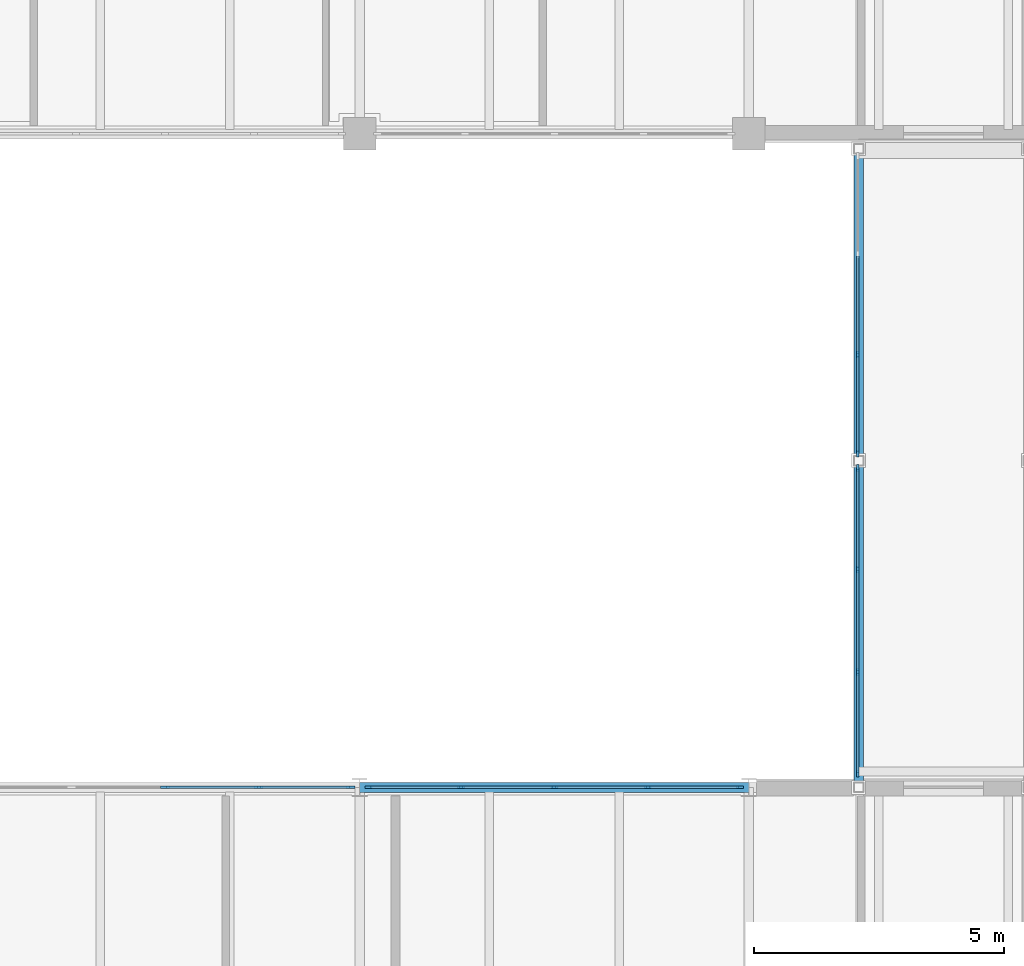
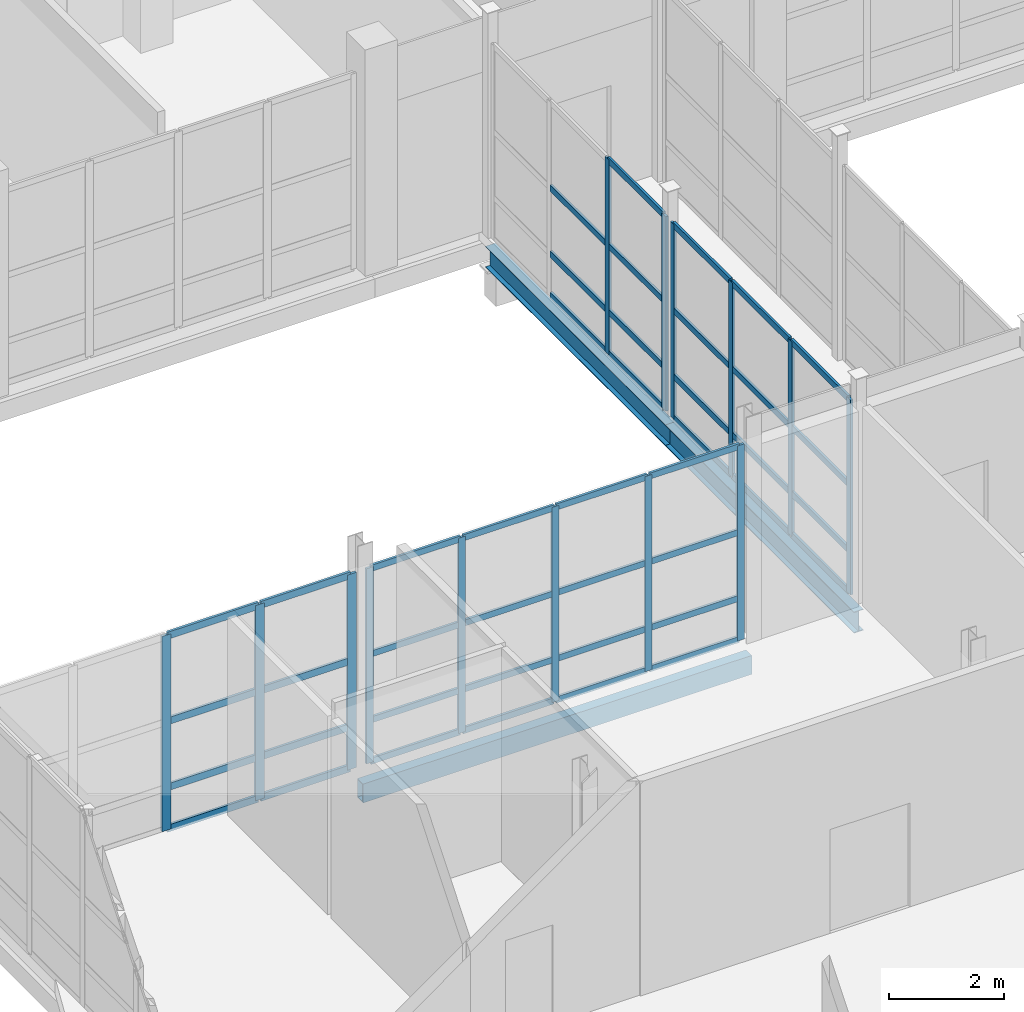
# One storey, part 63 of 131: 57 members, 3 beams, 4 elements without a shape of their own.
"""IFC4 building model written with IfcOpenShell, lengths in metres."""

from ifc_helpers import new_model, si_unit, direction, frame, origin, origin_2d, place, context, subcontext, project, spatial, rectangle, hollow_rectangle, i_section, extrude, material, layer, layer_set, material_profile, profile_set, type_object, element, aggregate, save


model = new_model("IFC4")

# Units and contexts
model_context = context("Model", 3, precision=1e-05, world=origin(), true_north=direction((0.0, 1.0)))
body_context = subcontext(model_context, "Body", "Model", "MODEL_VIEW")
ifc_project = project(units=[si_unit("LENGTHUNIT", "METRE"), si_unit("AREAUNIT", "SQUARE_METRE"), si_unit("VOLUMEUNIT", "CUBIC_METRE"), si_unit("PLANEANGLEUNIT", "RADIAN"), si_unit("MASSUNIT", "GRAM", prefix="KILO")], contexts=[model_context])

# Site, building, storey
site_placement = place(None, origin())
site = spatial("IfcSite", under=ifc_project, at=site_placement, CompositionType="ELEMENT")
building_placement = place(site_placement, origin())
building = spatial("IfcBuilding", under=site, at=building_placement, Name="Celorna Specialist Clinic", CompositionType="ELEMENT")
storey_placement = place(building_placement, origin())
storey = spatial("IfcBuildingStorey", under=building, at=storey_placement, Name="L00", CompositionType="ELEMENT", Elevation=0.0)

# Beams
ifc_material_1 = material(Name="Steel S355", Category="steel")
ifc_material_profile_1 = material_profile(ifc_material_1, i_section(OverallWidth=0.18994140625, OverallDepth=0.449951171875, WebThickness=0.009521484375, FlangeThickness=0.0146484375, at=origin_2d()), Name="IPE 450")
ifc_profile_set_1 = profile_set([ifc_material_profile_1], Name="Steel S355")
beam_type_1 = type_object("IfcBeamType", Name="BM-09", PredefinedType="BEAM", material=ifc_profile_set_1)
beam_1_placement = place(storey_placement, frame((142.60009765625, 83.39990234375, -0.445068359375), z_axis=(0.0, 1.0, 0.0), x_axis=(-1.0, 0.0, 0.0)))
element("IfcBeam", 1, at=beam_1_placement, inside=storey, type_object=beam_type_1, Name="Bridge BR-05 edge girder BM-09 #110", PredefinedType="BEAM", context=body_context, shape_type="SweptSolid", body=[
    extrude(i_section(OverallWidth=0.18994140625, OverallDepth=0.449951171875, WebThickness=0.009521484375, FlangeThickness=0.0146484375, at=origin_2d()), origin(), (0.0, 0.0, 1.0), 6.550048828125),
])
beam_2_placement = place(storey_placement, frame((142.60009765625, 89.949951171875, -0.445068359375), z_axis=(0.0, 1.0, 0.0), x_axis=(-1.0, 0.0, 0.0)))
element("IfcBeam", 2, at=beam_2_placement, inside=storey, type_object=beam_type_1, Name="Bridge BR-05 edge girder BM-09 #111", PredefinedType="BEAM", context=body_context, shape_type="SweptSolid", body=[
    extrude(i_section(OverallWidth=0.18994140625, OverallDepth=0.449951171875, WebThickness=0.009521484375, FlangeThickness=0.0146484375, at=origin_2d()), origin(), (0.0, 0.0, 1.0), 6.25),
])
ifc_material_profile_2 = material_profile(ifc_material_1, hollow_rectangle(XDim=0.199951171875, YDim=0.39990234375, WallThickness=0.011962890625, at=origin_2d()), Name="RHS 200x400x12")
ifc_profile_set_2 = profile_set([ifc_material_profile_2], Name="Steel S355")
beam_type_2 = type_object("IfcBeamType", Name="BM-15", PredefinedType="SPANDREL", material=ifc_profile_set_2)
beam_3_placement = place(storey_placement, frame((132.60009765625, 83.39990234375, -0.5400390625), z_axis=(1.0, 0.0, 0.0), x_axis=(0.0, 1.0, 0.0)))
element("IfcBeam", 3, at=beam_3_placement, inside=storey, type_object=beam_type_2, Name="Spandrel beam BM-15 #553", PredefinedType="SPANDREL", context=body_context, shape_type="SweptSolid", body=[
    extrude(hollow_rectangle(XDim=0.199951171875, YDim=0.39990234375, WallThickness=0.011962890625, at=origin_2d()), origin(), (0.0, 0.0, 1.0), 7.7998046875),
])

# Curtain wall, members
ifc_material_2 = material(Name="Thermally broken aluminium and solar-control glass curtain wall", Category="aluminium")
ifc_layer_1 = layer(ifc_material_2, 0.159912109375, Name="Thermally broken aluminium and solar-control glass curtain wall")
ifc_layer_set_1 = layer_set([ifc_layer_1], Name="Thermally broken aluminium and solar-control glass curtain wall")
curtain_wall_type_1 = type_object("IfcCurtainWallType", Name="CW-34", PredefinedType="NOTDEFINED", material=ifc_layer_set_1)
curtain_wall_1_placement = place(storey_placement, origin())
curtain_wall_1 = element("IfcCurtainWall", 4, at=curtain_wall_1_placement, inside=storey, type_object=curtain_wall_type_1, Name="Curtain wall CW-34 #69", PredefinedType="NOTDEFINED")
ifc_material_3 = material(Name="Anodized aluminium mullion", Category="aluminium")
ifc_material_profile_3 = material_profile(ifc_material_3, rectangle(XDim=0.050048828125, YDim=0.179931640625, at=origin_2d()), Name="ALU MULLION 50x180")
ifc_profile_set_3 = profile_set([ifc_material_profile_3], Name="Anodized aluminium mullion")
member_type_1 = type_object("IfcMemberType", Name="ML-02", PredefinedType="MULLION", material=ifc_profile_set_3)
member_1_placement = place(storey_placement, frame((128.699951171875, 83.39990234375, 0.0), z_axis=(0.0, 0.0, 1.0), x_axis=(0.0, 1.0, 0.0)))
member_1 = element("IfcMember", 5, at=member_1_placement, type_object=member_type_1, Name="CW-34 mullion 3", PredefinedType="MULLION", context=body_context, shape_type="SweptSolid", body=[
    extrude(rectangle(XDim=0.050048828125, YDim=0.179931640625, at=origin_2d()), origin(), (0.0, 0.0, 1.0), 4.139892578125),
])
member_2_placement = place(storey_placement, frame((130.572998046875, 83.39990234375, 0.0), z_axis=(0.0, 0.0, 1.0), x_axis=(0.0, 1.0, 0.0)))
member_2 = element("IfcMember", 6, at=member_2_placement, type_object=member_type_1, Name="CW-34 mullion 4", PredefinedType="MULLION", context=body_context, shape_type="SweptSolid", body=[
    extrude(rectangle(XDim=0.050048828125, YDim=0.179931640625, at=origin_2d()), origin(), (0.0, 0.0, 1.0), 4.139892578125),
])
member_3_placement = place(storey_placement, frame((132.4208984375, 83.39990234375, 0.0), z_axis=(0.0, 0.0, 1.0), x_axis=(0.0, 1.0, 0.0)))
member_3 = element("IfcMember", 7, at=member_3_placement, type_object=member_type_1, Name="CW-34 mullion 5", PredefinedType="MULLION", context=body_context, shape_type="SweptSolid", body=[
    extrude(rectangle(XDim=0.050048828125, YDim=0.179931640625, at=origin_2d()), origin(), (0.0, 0.0, 1.0), 4.139892578125),
])

ifc_layer_2 = layer(ifc_material_2, 0.159912109375, Name="Thermally broken aluminium and solar-control glass curtain wall")
ifc_layer_set_2 = layer_set([ifc_layer_2], Name="Thermally broken aluminium and solar-control glass curtain wall")
curtain_wall_type_2 = type_object("IfcCurtainWallType", Name="CW-36", PredefinedType="NOTDEFINED", material=ifc_layer_set_2)
curtain_wall_2_placement = place(storey_placement, origin())
curtain_wall_2 = element("IfcCurtainWall", 8, at=curtain_wall_2_placement, inside=storey, type_object=curtain_wall_type_2, Name="Curtain wall CW-36 #70", PredefinedType="NOTDEFINED")
ifc_material_profile_4 = material_profile(ifc_material_3, rectangle(XDim=0.050048828125, YDim=0.139892578125, at=origin_2d()), Name="ALU MULLION 50x140")
ifc_profile_set_4 = profile_set([ifc_material_profile_4], Name="Anodized aluminium mullion")
member_type_2 = type_object("IfcMemberType", Name="ML-03", PredefinedType="MULLION", material=ifc_profile_set_4)
member_4_placement = place(storey_placement, frame((132.779052734375, 83.39990234375, 0.0), z_axis=(0.0, 0.0, 1.0), x_axis=(0.0, 1.0, 0.0)))
member_4 = element("IfcMember", 9, at=member_4_placement, type_object=member_type_2, Name="CW-36 mullion 1", PredefinedType="MULLION", context=body_context, shape_type="SweptSolid", body=[
    extrude(rectangle(XDim=0.050048828125, YDim=0.139892578125, at=origin_2d()), origin(), (0.0, 0.0, 1.0), 4.139892578125),
])
member_5_placement = place(storey_placement, frame((134.626953125, 83.39990234375, 0.0), z_axis=(0.0, 0.0, 1.0), x_axis=(0.0, 1.0, 0.0)))
member_5 = element("IfcMember", 10, at=member_5_placement, type_object=member_type_2, Name="CW-36 mullion 2", PredefinedType="MULLION", context=body_context, shape_type="SweptSolid", body=[
    extrude(rectangle(XDim=0.050048828125, YDim=0.139892578125, at=origin_2d()), origin(), (0.0, 0.0, 1.0), 4.139892578125),
])
member_6_placement = place(storey_placement, frame((136.5, 83.39990234375, 0.0), z_axis=(0.0, 0.0, 1.0), x_axis=(0.0, 1.0, 0.0)))
member_6 = element("IfcMember", 11, at=member_6_placement, type_object=member_type_2, Name="CW-36 mullion 3", PredefinedType="MULLION", context=body_context, shape_type="SweptSolid", body=[
    extrude(rectangle(XDim=0.050048828125, YDim=0.139892578125, at=origin_2d()), origin(), (0.0, 0.0, 1.0), 4.139892578125),
])
member_7_placement = place(storey_placement, frame((138.373046875, 83.39990234375, 0.0), z_axis=(0.0, 0.0, 1.0), x_axis=(0.0, 1.0, 0.0)))
member_7 = element("IfcMember", 12, at=member_7_placement, type_object=member_type_2, Name="CW-36 mullion 4", PredefinedType="MULLION", context=body_context, shape_type="SweptSolid", body=[
    extrude(rectangle(XDim=0.050048828125, YDim=0.139892578125, at=origin_2d()), origin(), (0.0, 0.0, 1.0), 4.139892578125),
])
member_8_placement = place(storey_placement, frame((140.220947265625, 83.39990234375, 0.0), z_axis=(0.0, 0.0, 1.0), x_axis=(0.0, 1.0, 0.0)))
member_8 = element("IfcMember", 13, at=member_8_placement, type_object=member_type_2, Name="CW-36 mullion 5", PredefinedType="MULLION", context=body_context, shape_type="SweptSolid", body=[
    extrude(rectangle(XDim=0.050048828125, YDim=0.139892578125, at=origin_2d()), origin(), (0.0, 0.0, 1.0), 4.139892578125),
])

ifc_layer_3 = layer(ifc_material_2, 0.159912109375, Name="Thermally broken aluminium and solar-control glass curtain wall")
ifc_layer_set_3 = layer_set([ifc_layer_3], Name="Thermally broken aluminium and solar-control glass curtain wall")
curtain_wall_type_3 = type_object("IfcCurtainWallType", Name="CW-116", PredefinedType="NOTDEFINED", material=ifc_layer_set_3)
curtain_wall_3_placement = place(storey_placement, origin())
curtain_wall_3 = element("IfcCurtainWall", 14, at=curtain_wall_3_placement, inside=storey, type_object=curtain_wall_type_3, Name="Curtain wall CW-116 #216", PredefinedType="NOTDEFINED")
member_9_placement = place(storey_placement, frame((142.580078125, 83.675048828125, 0.0), z_axis=(0.0, 0.0, 1.0), x_axis=(-1.0, 0.0, 0.0)))
member_9 = element("IfcMember", 15, at=member_9_placement, type_object=member_type_2, Name="CW-116 mullion 1", PredefinedType="MULLION", context=body_context, shape_type="SweptSolid", body=[
    extrude(rectangle(XDim=0.050048828125, YDim=0.139892578125, at=origin_2d()), origin(), (0.0, 0.0, 1.0), 4.1298828125),
])
member_10_placement = place(storey_placement, frame((142.580078125, 85.7099609375, 0.0), z_axis=(0.0, 0.0, 1.0), x_axis=(-1.0, 0.0, 0.0)))
member_10 = element("IfcMember", 16, at=member_10_placement, type_object=member_type_2, Name="CW-116 mullion 2", PredefinedType="MULLION", context=body_context, shape_type="SweptSolid", body=[
    extrude(rectangle(XDim=0.050048828125, YDim=0.139892578125, at=origin_2d()), origin(), (0.0, 0.0, 1.0), 4.1298828125),
])
member_11_placement = place(storey_placement, frame((142.580078125, 87.77001953125, 0.0), z_axis=(0.0, 0.0, 1.0), x_axis=(-1.0, 0.0, 0.0)))
member_11 = element("IfcMember", 17, at=member_11_placement, type_object=member_type_2, Name="CW-116 mullion 3", PredefinedType="MULLION", context=body_context, shape_type="SweptSolid", body=[
    extrude(rectangle(XDim=0.050048828125, YDim=0.139892578125, at=origin_2d()), origin(), (0.0, 0.0, 1.0), 4.1298828125),
])
member_12_placement = place(storey_placement, frame((142.580078125, 89.804931640625, 0.0), z_axis=(0.0, 0.0, 1.0), x_axis=(-1.0, 0.0, 0.0)))
member_12 = element("IfcMember", 18, at=member_12_placement, type_object=member_type_2, Name="CW-116 mullion 4", PredefinedType="MULLION", context=body_context, shape_type="SweptSolid", body=[
    extrude(rectangle(XDim=0.050048828125, YDim=0.139892578125, at=origin_2d()), origin(), (0.0, 0.0, 1.0), 4.1298828125),
])

ifc_layer_4 = layer(ifc_material_2, 0.159912109375, Name="Thermally broken aluminium and solar-control glass curtain wall")
ifc_layer_set_4 = layer_set([ifc_layer_4], Name="Thermally broken aluminium and solar-control glass curtain wall")
curtain_wall_type_4 = type_object("IfcCurtainWallType", Name="CW-117", PredefinedType="NOTDEFINED", material=ifc_layer_set_4)
curtain_wall_4_placement = place(storey_placement, origin())
curtain_wall_4 = element("IfcCurtainWall", 19, at=curtain_wall_4_placement, inside=storey, type_object=curtain_wall_type_4, Name="Curtain wall CW-117 #217", PredefinedType="NOTDEFINED")
member_13_placement = place(storey_placement, frame((142.580078125, 90.094970703125, 0.0), z_axis=(0.0, 0.0, 1.0), x_axis=(-1.0, 0.0, 0.0)))
member_13 = element("IfcMember", 20, at=member_13_placement, type_object=member_type_2, Name="CW-117 mullion 1", PredefinedType="MULLION", context=body_context, shape_type="SweptSolid", body=[
    extrude(rectangle(XDim=0.050048828125, YDim=0.139892578125, at=origin_2d()), origin(), (0.0, 0.0, 1.0), 4.1298828125),
])
member_14_placement = place(storey_placement, frame((142.580078125, 92.0732421875, 0.0), z_axis=(0.0, 0.0, 1.0), x_axis=(-1.0, 0.0, 0.0)))
member_14 = element("IfcMember", 21, at=member_14_placement, type_object=member_type_2, Name="CW-117 mullion 2", PredefinedType="MULLION", context=body_context, shape_type="SweptSolid", body=[
    extrude(rectangle(XDim=0.050048828125, YDim=0.139892578125, at=origin_2d()), origin(), (0.0, 0.0, 1.0), 4.1298828125),
])

# Member
ifc_material_4 = material(Name="Anodized aluminium transom", Category="aluminium")
ifc_material_profile_5 = material_profile(ifc_material_4, rectangle(XDim=0.050048828125, YDim=0.1298828125, at=origin_2d()), Name="ALU TRANSOM 50x130")
ifc_profile_set_5 = profile_set([ifc_material_profile_5], Name="Anodized aluminium transom")
member_type_3 = type_object("IfcMemberType", Name="TR-01", PredefinedType="USERDEFINED", material=ifc_profile_set_5)
member_15_placement = place(storey_placement, frame((132.803955078125, 83.39990234375, 0.02490234375), z_axis=(1.0, 0.0, 0.0), x_axis=(0.0, 1.0, 0.0)))
member_15 = element("IfcMember", 22, at=member_15_placement, type_object=member_type_3, Name="CW-36 transom 1.1", ObjectType="TRANSOM", PredefinedType="USERDEFINED", context=body_context, shape_type="SweptSolid", body=[
    extrude(rectangle(XDim=0.050048828125, YDim=0.1298828125, at=origin_2d()), origin(), (0.0, 0.0, 1.0), 1.798095703125),
])

member_16_placement = place(storey_placement, frame((132.803955078125, 83.39990234375, 0.89990234375), z_axis=(1.0, 0.0, 0.0), x_axis=(0.0, 1.0, 0.0)))
member_16 = element("IfcMember", 23, at=member_16_placement, type_object=member_type_3, Name="CW-36 transom 1.2", ObjectType="TRANSOM", PredefinedType="USERDEFINED", context=body_context, shape_type="SweptSolid", body=[
    extrude(rectangle(XDim=0.050048828125, YDim=0.1298828125, at=origin_2d()), origin(), (0.0, 0.0, 1.0), 1.798095703125),
])

member_17_placement = place(storey_placement, frame((132.803955078125, 83.39990234375, 2.300048828125), z_axis=(1.0, 0.0, 0.0), x_axis=(0.0, 1.0, 0.0)))
member_17 = element("IfcMember", 24, at=member_17_placement, type_object=member_type_3, Name="CW-36 transom 1.3", ObjectType="TRANSOM", PredefinedType="USERDEFINED", context=body_context, shape_type="SweptSolid", body=[
    extrude(rectangle(XDim=0.050048828125, YDim=0.1298828125, at=origin_2d()), origin(), (0.0, 0.0, 1.0), 1.798095703125),
])

member_18_placement = place(storey_placement, frame((132.803955078125, 83.39990234375, 4.114990234375), z_axis=(1.0, 0.0, 0.0), x_axis=(0.0, 1.0, 0.0)))
member_18 = element("IfcMember", 25, at=member_18_placement, type_object=member_type_3, Name="CW-36 transom 1.4", ObjectType="TRANSOM", PredefinedType="USERDEFINED", context=body_context, shape_type="SweptSolid", body=[
    extrude(rectangle(XDim=0.050048828125, YDim=0.1298828125, at=origin_2d()), origin(), (0.0, 0.0, 1.0), 1.798095703125),
])

member_19_placement = place(storey_placement, frame((134.652099609375, 83.39990234375, 0.02490234375), z_axis=(1.0, 0.0, 0.0), x_axis=(0.0, 1.0, 0.0)))
member_19 = element("IfcMember", 26, at=member_19_placement, type_object=member_type_3, Name="CW-36 transom 2.1", ObjectType="TRANSOM", PredefinedType="USERDEFINED", context=body_context, shape_type="SweptSolid", body=[
    extrude(rectangle(XDim=0.050048828125, YDim=0.1298828125, at=origin_2d()), origin(), (0.0, 0.0, 1.0), 1.822998046875),
])

member_20_placement = place(storey_placement, frame((134.652099609375, 83.39990234375, 0.89990234375), z_axis=(1.0, 0.0, 0.0), x_axis=(0.0, 1.0, 0.0)))
member_20 = element("IfcMember", 27, at=member_20_placement, type_object=member_type_3, Name="CW-36 transom 2.2", ObjectType="TRANSOM", PredefinedType="USERDEFINED", context=body_context, shape_type="SweptSolid", body=[
    extrude(rectangle(XDim=0.050048828125, YDim=0.1298828125, at=origin_2d()), origin(), (0.0, 0.0, 1.0), 1.822998046875),
])

member_21_placement = place(storey_placement, frame((134.652099609375, 83.39990234375, 2.300048828125), z_axis=(1.0, 0.0, 0.0), x_axis=(0.0, 1.0, 0.0)))
member_21 = element("IfcMember", 28, at=member_21_placement, type_object=member_type_3, Name="CW-36 transom 2.3", ObjectType="TRANSOM", PredefinedType="USERDEFINED", context=body_context, shape_type="SweptSolid", body=[
    extrude(rectangle(XDim=0.050048828125, YDim=0.1298828125, at=origin_2d()), origin(), (0.0, 0.0, 1.0), 1.822998046875),
])

member_22_placement = place(storey_placement, frame((134.652099609375, 83.39990234375, 4.114990234375), z_axis=(1.0, 0.0, 0.0), x_axis=(0.0, 1.0, 0.0)))
member_22 = element("IfcMember", 29, at=member_22_placement, type_object=member_type_3, Name="CW-36 transom 2.4", ObjectType="TRANSOM", PredefinedType="USERDEFINED", context=body_context, shape_type="SweptSolid", body=[
    extrude(rectangle(XDim=0.050048828125, YDim=0.1298828125, at=origin_2d()), origin(), (0.0, 0.0, 1.0), 1.822998046875),
])

member_23_placement = place(storey_placement, frame((136.52490234375, 83.39990234375, 0.02490234375), z_axis=(1.0, 0.0, 0.0), x_axis=(0.0, 1.0, 0.0)))
member_23 = element("IfcMember", 30, at=member_23_placement, type_object=member_type_3, Name="CW-36 transom 3.1", ObjectType="TRANSOM", PredefinedType="USERDEFINED", context=body_context, shape_type="SweptSolid", body=[
    extrude(rectangle(XDim=0.050048828125, YDim=0.1298828125, at=origin_2d()), origin(), (0.0, 0.0, 1.0), 1.822998046875),
])

member_24_placement = place(storey_placement, frame((136.52490234375, 83.39990234375, 0.89990234375), z_axis=(1.0, 0.0, 0.0), x_axis=(0.0, 1.0, 0.0)))
member_24 = element("IfcMember", 31, at=member_24_placement, type_object=member_type_3, Name="CW-36 transom 3.2", ObjectType="TRANSOM", PredefinedType="USERDEFINED", context=body_context, shape_type="SweptSolid", body=[
    extrude(rectangle(XDim=0.050048828125, YDim=0.1298828125, at=origin_2d()), origin(), (0.0, 0.0, 1.0), 1.822998046875),
])

member_25_placement = place(storey_placement, frame((136.52490234375, 83.39990234375, 2.300048828125), z_axis=(1.0, 0.0, 0.0), x_axis=(0.0, 1.0, 0.0)))
member_25 = element("IfcMember", 32, at=member_25_placement, type_object=member_type_3, Name="CW-36 transom 3.3", ObjectType="TRANSOM", PredefinedType="USERDEFINED", context=body_context, shape_type="SweptSolid", body=[
    extrude(rectangle(XDim=0.050048828125, YDim=0.1298828125, at=origin_2d()), origin(), (0.0, 0.0, 1.0), 1.822998046875),
])

member_26_placement = place(storey_placement, frame((136.52490234375, 83.39990234375, 4.114990234375), z_axis=(1.0, 0.0, 0.0), x_axis=(0.0, 1.0, 0.0)))
member_26 = element("IfcMember", 33, at=member_26_placement, type_object=member_type_3, Name="CW-36 transom 3.4", ObjectType="TRANSOM", PredefinedType="USERDEFINED", context=body_context, shape_type="SweptSolid", body=[
    extrude(rectangle(XDim=0.050048828125, YDim=0.1298828125, at=origin_2d()), origin(), (0.0, 0.0, 1.0), 1.822998046875),
])

member_27_placement = place(storey_placement, frame((138.39794921875, 83.39990234375, 0.02490234375), z_axis=(1.0, 0.0, 0.0), x_axis=(0.0, 1.0, 0.0)))
member_27 = element("IfcMember", 34, at=member_27_placement, type_object=member_type_3, Name="CW-36 transom 4.1", ObjectType="TRANSOM", PredefinedType="USERDEFINED", context=body_context, shape_type="SweptSolid", body=[
    extrude(rectangle(XDim=0.050048828125, YDim=0.1298828125, at=origin_2d()), origin(), (0.0, 0.0, 1.0), 1.798095703125),
])

member_28_placement = place(storey_placement, frame((138.39794921875, 83.39990234375, 0.89990234375), z_axis=(1.0, 0.0, 0.0), x_axis=(0.0, 1.0, 0.0)))
member_28 = element("IfcMember", 35, at=member_28_placement, type_object=member_type_3, Name="CW-36 transom 4.2", ObjectType="TRANSOM", PredefinedType="USERDEFINED", context=body_context, shape_type="SweptSolid", body=[
    extrude(rectangle(XDim=0.050048828125, YDim=0.1298828125, at=origin_2d()), origin(), (0.0, 0.0, 1.0), 1.798095703125),
])

member_29_placement = place(storey_placement, frame((138.39794921875, 83.39990234375, 2.300048828125), z_axis=(1.0, 0.0, 0.0), x_axis=(0.0, 1.0, 0.0)))
member_29 = element("IfcMember", 36, at=member_29_placement, type_object=member_type_3, Name="CW-36 transom 4.3", ObjectType="TRANSOM", PredefinedType="USERDEFINED", context=body_context, shape_type="SweptSolid", body=[
    extrude(rectangle(XDim=0.050048828125, YDim=0.1298828125, at=origin_2d()), origin(), (0.0, 0.0, 1.0), 1.798095703125),
])

member_30_placement = place(storey_placement, frame((138.39794921875, 83.39990234375, 4.114990234375), z_axis=(1.0, 0.0, 0.0), x_axis=(0.0, 1.0, 0.0)))
member_30 = element("IfcMember", 37, at=member_30_placement, type_object=member_type_3, Name="CW-36 transom 4.4", ObjectType="TRANSOM", PredefinedType="USERDEFINED", context=body_context, shape_type="SweptSolid", body=[
    extrude(rectangle(XDim=0.050048828125, YDim=0.1298828125, at=origin_2d()), origin(), (0.0, 0.0, 1.0), 1.798095703125),
])

aggregate(curtain_wall_2, [member_4, member_5, member_6, member_7, member_8, member_15, member_16, member_17, member_18, member_19, member_20, member_21, member_22, member_23, member_24, member_25, member_26, member_27, member_28, member_29, member_30])

member_31_placement = place(storey_placement, frame((142.580078125, 83.699951171875, 0.02490234375), z_axis=(0.0, 1.0, 0.0), x_axis=(-1.0, 0.0, 0.0)))
member_31 = element("IfcMember", 38, at=member_31_placement, type_object=member_type_3, Name="CW-116 transom 1.1", ObjectType="TRANSOM", PredefinedType="USERDEFINED", context=body_context, shape_type="SweptSolid", body=[
    extrude(rectangle(XDim=0.050048828125, YDim=0.1298828125, at=origin_2d()), origin(), (0.0, 0.0, 1.0), 1.985107421875),
])

member_32_placement = place(storey_placement, frame((142.580078125, 83.699951171875, 0.89990234375), z_axis=(0.0, 1.0, 0.0), x_axis=(-1.0, 0.0, 0.0)))
member_32 = element("IfcMember", 39, at=member_32_placement, type_object=member_type_3, Name="CW-116 transom 1.2", ObjectType="TRANSOM", PredefinedType="USERDEFINED", context=body_context, shape_type="SweptSolid", body=[
    extrude(rectangle(XDim=0.050048828125, YDim=0.1298828125, at=origin_2d()), origin(), (0.0, 0.0, 1.0), 1.985107421875),
])

member_33_placement = place(storey_placement, frame((142.580078125, 83.699951171875, 2.300048828125), z_axis=(0.0, 1.0, 0.0), x_axis=(-1.0, 0.0, 0.0)))
member_33 = element("IfcMember", 40, at=member_33_placement, type_object=member_type_3, Name="CW-116 transom 1.3", ObjectType="TRANSOM", PredefinedType="USERDEFINED", context=body_context, shape_type="SweptSolid", body=[
    extrude(rectangle(XDim=0.050048828125, YDim=0.1298828125, at=origin_2d()), origin(), (0.0, 0.0, 1.0), 1.985107421875),
])

member_34_placement = place(storey_placement, frame((142.580078125, 83.699951171875, 4.10498046875), z_axis=(0.0, 1.0, 0.0), x_axis=(-1.0, 0.0, 0.0)))
member_34 = element("IfcMember", 41, at=member_34_placement, type_object=member_type_3, Name="CW-116 transom 1.4", ObjectType="TRANSOM", PredefinedType="USERDEFINED", context=body_context, shape_type="SweptSolid", body=[
    extrude(rectangle(XDim=0.050048828125, YDim=0.1298828125, at=origin_2d()), origin(), (0.0, 0.0, 1.0), 1.985107421875),
])

member_35_placement = place(storey_placement, frame((142.580078125, 85.735107421875, 0.02490234375), z_axis=(0.0, 1.0, 0.0), x_axis=(-1.0, 0.0, 0.0)))
member_35 = element("IfcMember", 42, at=member_35_placement, type_object=member_type_3, Name="CW-116 transom 2.1", ObjectType="TRANSOM", PredefinedType="USERDEFINED", context=body_context, shape_type="SweptSolid", body=[
    extrude(rectangle(XDim=0.050048828125, YDim=0.1298828125, at=origin_2d()), origin(), (0.0, 0.0, 1.0), 2.010009765625),
])

member_36_placement = place(storey_placement, frame((142.580078125, 85.735107421875, 0.89990234375), z_axis=(0.0, 1.0, 0.0), x_axis=(-1.0, 0.0, 0.0)))
member_36 = element("IfcMember", 43, at=member_36_placement, type_object=member_type_3, Name="CW-116 transom 2.2", ObjectType="TRANSOM", PredefinedType="USERDEFINED", context=body_context, shape_type="SweptSolid", body=[
    extrude(rectangle(XDim=0.050048828125, YDim=0.1298828125, at=origin_2d()), origin(), (0.0, 0.0, 1.0), 2.010009765625),
])

member_37_placement = place(storey_placement, frame((142.580078125, 85.735107421875, 2.300048828125), z_axis=(0.0, 1.0, 0.0), x_axis=(-1.0, 0.0, 0.0)))
member_37 = element("IfcMember", 44, at=member_37_placement, type_object=member_type_3, Name="CW-116 transom 2.3", ObjectType="TRANSOM", PredefinedType="USERDEFINED", context=body_context, shape_type="SweptSolid", body=[
    extrude(rectangle(XDim=0.050048828125, YDim=0.1298828125, at=origin_2d()), origin(), (0.0, 0.0, 1.0), 2.010009765625),
])

member_38_placement = place(storey_placement, frame((142.580078125, 85.735107421875, 4.10498046875), z_axis=(0.0, 1.0, 0.0), x_axis=(-1.0, 0.0, 0.0)))
member_38 = element("IfcMember", 45, at=member_38_placement, type_object=member_type_3, Name="CW-116 transom 2.4", ObjectType="TRANSOM", PredefinedType="USERDEFINED", context=body_context, shape_type="SweptSolid", body=[
    extrude(rectangle(XDim=0.050048828125, YDim=0.1298828125, at=origin_2d()), origin(), (0.0, 0.0, 1.0), 2.010009765625),
])

member_39_placement = place(storey_placement, frame((142.580078125, 87.794921875, 0.02490234375), z_axis=(0.0, 1.0, 0.0), x_axis=(-1.0, 0.0, 0.0)))
member_39 = element("IfcMember", 46, at=member_39_placement, type_object=member_type_3, Name="CW-116 transom 3.1", ObjectType="TRANSOM", PredefinedType="USERDEFINED", context=body_context, shape_type="SweptSolid", body=[
    extrude(rectangle(XDim=0.050048828125, YDim=0.1298828125, at=origin_2d()), origin(), (0.0, 0.0, 1.0), 1.985107421875),
])

member_40_placement = place(storey_placement, frame((142.580078125, 87.794921875, 0.89990234375), z_axis=(0.0, 1.0, 0.0), x_axis=(-1.0, 0.0, 0.0)))
member_40 = element("IfcMember", 47, at=member_40_placement, type_object=member_type_3, Name="CW-116 transom 3.2", ObjectType="TRANSOM", PredefinedType="USERDEFINED", context=body_context, shape_type="SweptSolid", body=[
    extrude(rectangle(XDim=0.050048828125, YDim=0.1298828125, at=origin_2d()), origin(), (0.0, 0.0, 1.0), 1.985107421875),
])

member_41_placement = place(storey_placement, frame((142.580078125, 87.794921875, 2.300048828125), z_axis=(0.0, 1.0, 0.0), x_axis=(-1.0, 0.0, 0.0)))
member_41 = element("IfcMember", 48, at=member_41_placement, type_object=member_type_3, Name="CW-116 transom 3.3", ObjectType="TRANSOM", PredefinedType="USERDEFINED", context=body_context, shape_type="SweptSolid", body=[
    extrude(rectangle(XDim=0.050048828125, YDim=0.1298828125, at=origin_2d()), origin(), (0.0, 0.0, 1.0), 1.985107421875),
])

member_42_placement = place(storey_placement, frame((142.580078125, 87.794921875, 4.10498046875), z_axis=(0.0, 1.0, 0.0), x_axis=(-1.0, 0.0, 0.0)))
member_42 = element("IfcMember", 49, at=member_42_placement, type_object=member_type_3, Name="CW-116 transom 3.4", ObjectType="TRANSOM", PredefinedType="USERDEFINED", context=body_context, shape_type="SweptSolid", body=[
    extrude(rectangle(XDim=0.050048828125, YDim=0.1298828125, at=origin_2d()), origin(), (0.0, 0.0, 1.0), 1.985107421875),
])

aggregate(curtain_wall_3, [member_9, member_10, member_11, member_12, member_31, member_32, member_33, member_34, member_35, member_36, member_37, member_38, member_39, member_40, member_41, member_42])

member_43_placement = place(storey_placement, frame((142.580078125, 90.1201171875, 0.02490234375), z_axis=(0.0, 1.0, 0.0), x_axis=(-1.0, 0.0, 0.0)))
member_43 = element("IfcMember", 50, at=member_43_placement, type_object=member_type_3, Name="CW-117 transom 1.1", ObjectType="TRANSOM", PredefinedType="USERDEFINED", context=body_context, shape_type="SweptSolid", body=[
    extrude(rectangle(XDim=0.050048828125, YDim=0.1298828125, at=origin_2d()), origin(), (0.0, 0.0, 1.0), 1.92822265625),
])

member_44_placement = place(storey_placement, frame((142.580078125, 90.1201171875, 0.89990234375), z_axis=(0.0, 1.0, 0.0), x_axis=(-1.0, 0.0, 0.0)))
member_44 = element("IfcMember", 51, at=member_44_placement, type_object=member_type_3, Name="CW-117 transom 1.2", ObjectType="TRANSOM", PredefinedType="USERDEFINED", context=body_context, shape_type="SweptSolid", body=[
    extrude(rectangle(XDim=0.050048828125, YDim=0.1298828125, at=origin_2d()), origin(), (0.0, 0.0, 1.0), 1.92822265625),
])

member_45_placement = place(storey_placement, frame((142.580078125, 90.1201171875, 2.300048828125), z_axis=(0.0, 1.0, 0.0), x_axis=(-1.0, 0.0, 0.0)))
member_45 = element("IfcMember", 52, at=member_45_placement, type_object=member_type_3, Name="CW-117 transom 1.3", ObjectType="TRANSOM", PredefinedType="USERDEFINED", context=body_context, shape_type="SweptSolid", body=[
    extrude(rectangle(XDim=0.050048828125, YDim=0.1298828125, at=origin_2d()), origin(), (0.0, 0.0, 1.0), 1.92822265625),
])

member_46_placement = place(storey_placement, frame((142.580078125, 90.1201171875, 4.10498046875), z_axis=(0.0, 1.0, 0.0), x_axis=(-1.0, 0.0, 0.0)))
member_46 = element("IfcMember", 53, at=member_46_placement, type_object=member_type_3, Name="CW-117 transom 1.4", ObjectType="TRANSOM", PredefinedType="USERDEFINED", context=body_context, shape_type="SweptSolid", body=[
    extrude(rectangle(XDim=0.050048828125, YDim=0.1298828125, at=origin_2d()), origin(), (0.0, 0.0, 1.0), 1.92822265625),
])

member_47_placement = place(storey_placement, frame((142.580078125, 92.098388671875, 0.02490234375), z_axis=(0.0, 1.0, 0.0), x_axis=(-1.0, 0.0, 0.0)))
member_47 = element("IfcMember", 54, at=member_47_placement, type_object=member_type_3, Name="CW-117 transom 2.1", ObjectType="TRANSOM", PredefinedType="USERDEFINED", context=body_context, shape_type="SweptSolid", body=[
    extrude(rectangle(XDim=0.050048828125, YDim=0.1298828125, at=origin_2d()), origin(), (0.0, 0.0, 1.0), 1.953369140625),
])

member_48_placement = place(storey_placement, frame((142.580078125, 92.098388671875, 0.89990234375), z_axis=(0.0, 1.0, 0.0), x_axis=(-1.0, 0.0, 0.0)))
member_48 = element("IfcMember", 55, at=member_48_placement, type_object=member_type_3, Name="CW-117 transom 2.2", ObjectType="TRANSOM", PredefinedType="USERDEFINED", context=body_context, shape_type="SweptSolid", body=[
    extrude(rectangle(XDim=0.050048828125, YDim=0.1298828125, at=origin_2d()), origin(), (0.0, 0.0, 1.0), 1.953369140625),
])

member_49_placement = place(storey_placement, frame((142.580078125, 92.098388671875, 2.300048828125), z_axis=(0.0, 1.0, 0.0), x_axis=(-1.0, 0.0, 0.0)))
member_49 = element("IfcMember", 56, at=member_49_placement, type_object=member_type_3, Name="CW-117 transom 2.3", ObjectType="TRANSOM", PredefinedType="USERDEFINED", context=body_context, shape_type="SweptSolid", body=[
    extrude(rectangle(XDim=0.050048828125, YDim=0.1298828125, at=origin_2d()), origin(), (0.0, 0.0, 1.0), 1.953369140625),
])

aggregate(curtain_wall_4, [member_13, member_14, member_43, member_44, member_45, member_46, member_47, member_48, member_49])

ifc_material_profile_6 = material_profile(ifc_material_4, rectangle(XDim=0.050048828125, YDim=0.14990234375, at=origin_2d()), Name="ALU TRANSOM 50x150")
ifc_profile_set_6 = profile_set([ifc_material_profile_6], Name="Anodized aluminium transom")
member_type_4 = type_object("IfcMemberType", Name="TR-02", PredefinedType="USERDEFINED", material=ifc_profile_set_6)
member_50_placement = place(storey_placement, frame((128.72509765625, 83.39990234375, 0.02490234375), z_axis=(1.0, 0.0, 0.0), x_axis=(0.0, 1.0, 0.0)))
member_50 = element("IfcMember", 57, at=member_50_placement, type_object=member_type_4, Name="CW-34 transom 3.1", ObjectType="TRANSOM", PredefinedType="USERDEFINED", context=body_context, shape_type="SweptSolid", body=[
    extrude(rectangle(XDim=0.050048828125, YDim=0.14990234375, at=origin_2d()), origin(), (0.0, 0.0, 1.0), 1.822998046875),
])

member_51_placement = place(storey_placement, frame((128.72509765625, 83.39990234375, 0.89990234375), z_axis=(1.0, 0.0, 0.0), x_axis=(0.0, 1.0, 0.0)))
member_51 = element("IfcMember", 58, at=member_51_placement, type_object=member_type_4, Name="CW-34 transom 3.2", ObjectType="TRANSOM", PredefinedType="USERDEFINED", context=body_context, shape_type="SweptSolid", body=[
    extrude(rectangle(XDim=0.050048828125, YDim=0.14990234375, at=origin_2d()), origin(), (0.0, 0.0, 1.0), 1.822998046875),
])

member_52_placement = place(storey_placement, frame((128.72509765625, 83.39990234375, 2.300048828125), z_axis=(1.0, 0.0, 0.0), x_axis=(0.0, 1.0, 0.0)))
member_52 = element("IfcMember", 59, at=member_52_placement, type_object=member_type_4, Name="CW-34 transom 3.3", ObjectType="TRANSOM", PredefinedType="USERDEFINED", context=body_context, shape_type="SweptSolid", body=[
    extrude(rectangle(XDim=0.050048828125, YDim=0.14990234375, at=origin_2d()), origin(), (0.0, 0.0, 1.0), 1.822998046875),
])

member_53_placement = place(storey_placement, frame((128.72509765625, 83.39990234375, 4.114990234375), z_axis=(1.0, 0.0, 0.0), x_axis=(0.0, 1.0, 0.0)))
member_53 = element("IfcMember", 60, at=member_53_placement, type_object=member_type_4, Name="CW-34 transom 3.4", ObjectType="TRANSOM", PredefinedType="USERDEFINED", context=body_context, shape_type="SweptSolid", body=[
    extrude(rectangle(XDim=0.050048828125, YDim=0.14990234375, at=origin_2d()), origin(), (0.0, 0.0, 1.0), 1.822998046875),
])

member_54_placement = place(storey_placement, frame((130.597900390625, 83.39990234375, 0.02490234375), z_axis=(1.0, 0.0, 0.0), x_axis=(0.0, 1.0, 0.0)))
member_54 = element("IfcMember", 61, at=member_54_placement, type_object=member_type_4, Name="CW-34 transom 4.1", ObjectType="TRANSOM", PredefinedType="USERDEFINED", context=body_context, shape_type="SweptSolid", body=[
    extrude(rectangle(XDim=0.050048828125, YDim=0.14990234375, at=origin_2d()), origin(), (0.0, 0.0, 1.0), 1.798095703125),
])

member_55_placement = place(storey_placement, frame((130.597900390625, 83.39990234375, 0.89990234375), z_axis=(1.0, 0.0, 0.0), x_axis=(0.0, 1.0, 0.0)))
member_55 = element("IfcMember", 62, at=member_55_placement, type_object=member_type_4, Name="CW-34 transom 4.2", ObjectType="TRANSOM", PredefinedType="USERDEFINED", context=body_context, shape_type="SweptSolid", body=[
    extrude(rectangle(XDim=0.050048828125, YDim=0.14990234375, at=origin_2d()), origin(), (0.0, 0.0, 1.0), 1.798095703125),
])

member_56_placement = place(storey_placement, frame((130.597900390625, 83.39990234375, 2.300048828125), z_axis=(1.0, 0.0, 0.0), x_axis=(0.0, 1.0, 0.0)))
member_56 = element("IfcMember", 63, at=member_56_placement, type_object=member_type_4, Name="CW-34 transom 4.3", ObjectType="TRANSOM", PredefinedType="USERDEFINED", context=body_context, shape_type="SweptSolid", body=[
    extrude(rectangle(XDim=0.050048828125, YDim=0.14990234375, at=origin_2d()), origin(), (0.0, 0.0, 1.0), 1.798095703125),
])

member_57_placement = place(storey_placement, frame((130.597900390625, 83.39990234375, 4.114990234375), z_axis=(1.0, 0.0, 0.0), x_axis=(0.0, 1.0, 0.0)))
member_57 = element("IfcMember", 64, at=member_57_placement, type_object=member_type_4, Name="CW-34 transom 4.4", ObjectType="TRANSOM", PredefinedType="USERDEFINED", context=body_context, shape_type="SweptSolid", body=[
    extrude(rectangle(XDim=0.050048828125, YDim=0.14990234375, at=origin_2d()), origin(), (0.0, 0.0, 1.0), 1.798095703125),
])

aggregate(curtain_wall_1, [member_1, member_2, member_3, member_50, member_51, member_52, member_53, member_54, member_55, member_56, member_57])

save(model, "model.ifc")
